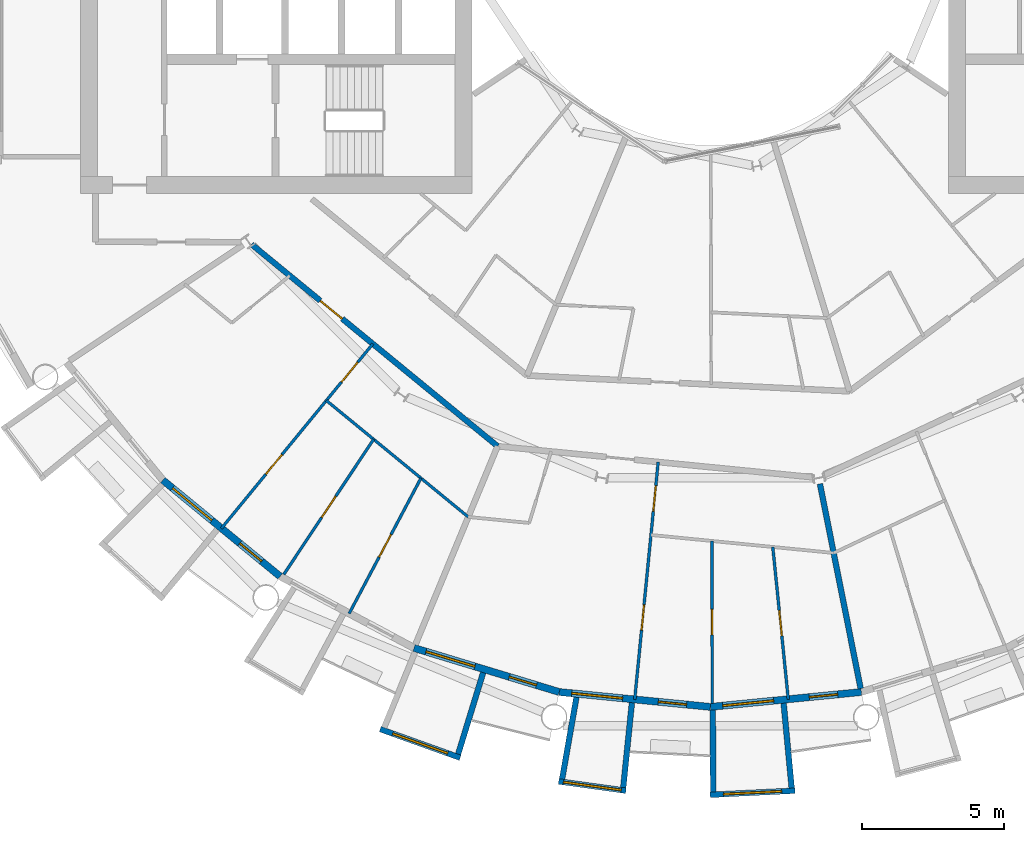
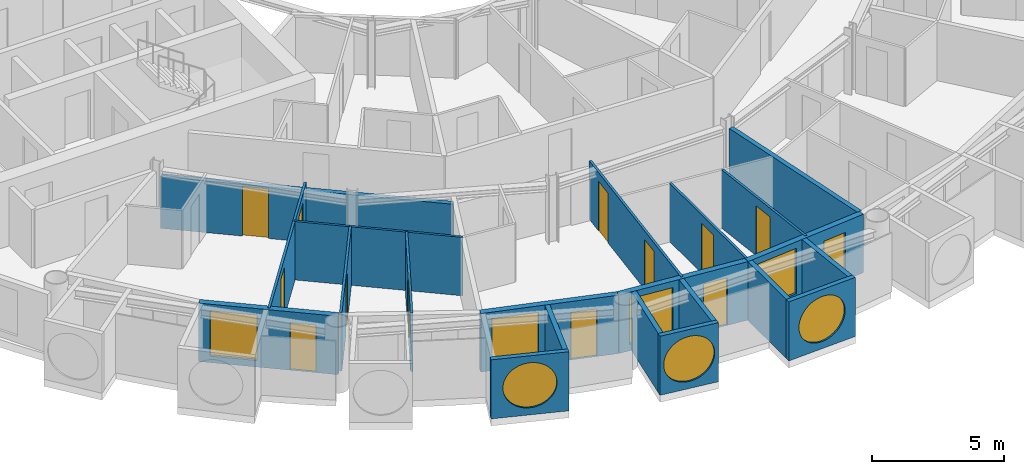
# One storey, part 14 of 27: 21 walls, 13 doors, 7 windows, 20 openings.
"""IFC4 building model written with IfcOpenShell, lengths in metres."""

from ifc_helpers import new_model, si_unit, direction, frame, frame_2d, origin, place, context, subcontext, project, spatial, rectangle, circle, extrude, material, layer, layer_set, type_object, element, fill, save


model = new_model("IFC4")

# Units and contexts
model_context = context("Model", 3, precision=1e-05, world=origin(), true_north=direction((0.0, 1.0)))
body_context = subcontext(model_context, "Body", "Model", "MODEL_VIEW")
ifc_project = project(units=[si_unit("LENGTHUNIT", "METRE"), si_unit("AREAUNIT", "SQUARE_METRE"), si_unit("VOLUMEUNIT", "CUBIC_METRE"), si_unit("PLANEANGLEUNIT", "RADIAN"), si_unit("MASSUNIT", "GRAM", prefix="KILO")], contexts=[model_context])

# Site, building, storey
site_placement = place(None, origin())
site = spatial("IfcSite", under=ifc_project, at=site_placement, CompositionType="ELEMENT")
building_placement = place(site_placement, origin())
building = spatial("IfcBuilding", under=site, at=building_placement, Name="Maasbend Ring Residences", CompositionType="ELEMENT")
storey_placement = place(building_placement, frame((0.0, 0.0, 114.699951171875)))
storey = spatial("IfcBuildingStorey", under=building, at=storey_placement, Name="L32", CompositionType="ELEMENT", Elevation=114.699951171875)

# Wall, opening, door
ifc_material_1 = material(Name="Concrete C30/37", Category="concrete")
ifc_layer_1 = layer(ifc_material_1, 0.199951171875)
ifc_layer_set_1 = layer_set([ifc_layer_1], Name="Concrete C30/37")
wall_type_1 = type_object("IfcWallType", Name="CORRIDOR WALL 200 CONCRETE", PredefinedType="PARTITIONING", material=ifc_layer_set_1)
wall_1_placement = place(storey_placement, frame((-16.173095703125, -10.990966796875, 0.0), z_axis=(0.0, 0.0, 1.0), x_axis=(0.773013989296, -0.634388975591, 0.0)))
wall_1 = element("IfcWall", 1, at=wall_1_placement, inside=storey, type_object=wall_type_1, Name="U-L32-w013", PredefinedType="PARTITIONING", context=body_context, shape_type="SweptSolid", body=[
    extrude(rectangle(XDim=11.218505859375, YDim=0.199951171875, at=frame_2d((5.609375, 0.0))), origin(), (0.0, 0.0, 1.0), 2.39013671875),
])
opening_1_placement = place(wall_1_placement, frame((3.135009765625, 0.0, 0.0)))
opening_1 = element("IfcOpeningElement", 2, at=opening_1_placement, cuts=wall_1, Name="Opening D-3234", PredefinedType="OPENING", context=body_context, shape_type="SweptSolid", body=[
    extrude(rectangle(XDim=1.0, YDim=2.300048828125, at=frame_2d((0.5, 1.14990234375))), frame((0.0, 0.10986328125, 0.0), z_axis=(0.0, -1.0, 0.0), x_axis=(1.0, 0.0, 0.0)), (0.0, 0.0, 1.0), 0.219970703125),
])
ifc_material_2 = material(Name="Timber, fire-rated, painted", Category="wood")
door_type_1 = type_object("IfcDoorType", Name="FLAT ENTRANCE DOOR 1000 X 2300 FIRE-RATED", OperationType="NOTDEFINED", PredefinedType="DOOR", material=ifc_material_2)
door_1_placement = place(opening_1_placement, origin())
door_1 = element("IfcDoor", 3, at=door_1_placement, inside=storey, type_object=door_type_1, Name="D-3234", OperationType="SINGLE_SWING_LEFT", OverallHeight=2.300048828125, OverallWidth=1.0, PredefinedType="DOOR", context=body_context, shape_type="SweptSolid", body=[
    extrude(rectangle(XDim=1.0, YDim=2.300048828125, at=frame_2d((0.5, 1.14990234375))), frame((0.0, 0.02490234375, 0.0), z_axis=(0.0, -1.0, 0.0), x_axis=(1.0, 0.0, 0.0)), (0.0, 0.0, 1.0), 0.050048828125),
])
fill(opening_1, door_1)

# Wall, opening, window
ifc_material_3 = material(Name="Pale anodised aluminium panel", Category="aluminium")
ifc_layer_2 = layer(ifc_material_3, 0.199951171875)
ifc_layer_set_2 = layer_set([ifc_layer_2], Name="EW-BOX")
wall_type_2 = type_object("IfcWallType", Name="EW-BOX", PredefinedType="SOLIDWALL", material=ifc_layer_set_2)
wall_2_placement = place(storey_placement, frame((-11.637939453125, -28.083984375, -0.030029296875), z_axis=(0.0, 0.0, 1.0), x_axis=(0.941461077774, -0.337121697664, 0.0)))
wall_2 = element("IfcWall", 4, at=wall_2_placement, inside=storey, type_object=wall_type_2, Name="Box front S07", PredefinedType="SOLIDWALL", context=body_context, shape_type="SweptSolid", body=[
    extrude(rectangle(XDim=2.9931640625, YDim=0.199951171875, at=frame_2d((1.49658203125, 0.0))), origin(), (0.0, 0.0, 1.0), 2.72998046875),
])
opening_2_placement = place(wall_2_placement, frame((0.45654296875, 0.0, 0.330078125)))
opening_2 = element("IfcOpeningElement", 5, at=opening_2_placement, cuts=wall_2, Name="Opening W-RD", PredefinedType="OPENING", context=body_context, shape_type="SweptSolid", body=[
    extrude(circle(Radius=1.0400390625, at=frame_2d((1.0400390625, 1.0400390625))), frame((0.0, 0.10986328125, 0.0), z_axis=(0.0, -1.0, 0.0), x_axis=(1.0, 0.0, 0.0)), (0.0, 0.0, 1.0), 0.219970703125),
])
ifc_material_4 = material(Name="Aluminium and clear glass", Category="aluminium")
window_type_1 = type_object("IfcWindowType", Name="W-RD", PartitioningType="SINGLE_PANEL", PredefinedType="WINDOW", material=ifc_material_4)
window_1_placement = place(opening_2_placement, origin())
window_1 = element("IfcWindow", 6, at=window_1_placement, inside=storey, type_object=window_type_1, Name="Round window S07", OverallHeight=2.080078125, OverallWidth=2.080078125, PartitioningType="SINGLE_PANEL", PredefinedType="WINDOW", context=body_context, shape_type="SweptSolid", body=[
    extrude(circle(Radius=1.0400390625, at=frame_2d((1.0400390625, 1.0400390625))), frame((0.0, 0.030029296875, 0.0), z_axis=(0.0, -1.0, 0.0), x_axis=(1.0, 0.0, 0.0)), (0.0, 0.0, 1.0), 0.06005859375),
])
fill(opening_2, window_1)

# Wall
wall_3_placement = place(storey_placement, frame((-8.009033203125, -26.092041015625, -0.030029296875), z_axis=(0.0, 0.0, 1.0), x_axis=(-0.293406695073, -0.955987715029, 0.0)))
element("IfcWall", 7, at=wall_3_placement, inside=storey, type_object=wall_type_2, Name="Box side wall S07 right", PredefinedType="SOLIDWALL", context=body_context, shape_type="SweptSolid", body=[
    extrude(rectangle(XDim=3.00634765625, YDim=0.199951171875, at=frame_2d((1.503173828125, 0.0))), origin(), (0.0, 0.0, 1.0), 2.72998046875),
])

# Wall, opening, window
wall_4_placement = place(storey_placement, frame((-5.344970703125, -29.927001953125, -0.030029296875), z_axis=(0.0, 0.0, 1.0), x_axis=(0.99061207328, -0.136703036805, 0.0)))
wall_4 = element("IfcWall", 8, at=wall_4_placement, inside=storey, type_object=wall_type_2, Name="Box front S09", PredefinedType="SOLIDWALL", context=body_context, shape_type="SweptSolid", body=[
    extrude(rectangle(XDim=2.391357421875, YDim=0.199951171875, at=frame_2d((1.19580078125, 0.0))), origin(), (0.0, 0.0, 1.0), 2.72998046875),
])
opening_3_placement = place(wall_4_placement, frame((0.15576171875, 0.0, 0.330078125)))
opening_3 = element("IfcOpeningElement", 9, at=opening_3_placement, cuts=wall_4, Name="Opening W-RD", PredefinedType="OPENING", context=body_context, shape_type="SweptSolid", body=[
    extrude(circle(Radius=1.0400390625, at=frame_2d((1.0400390625, 1.0400390625))), frame((0.0, 0.10986328125, 0.0), z_axis=(0.0, -1.0, 0.0), x_axis=(1.0, 0.0, 0.0)), (0.0, 0.0, 1.0), 0.219970703125),
])
window_2_placement = place(opening_3_placement, origin())
window_2 = element("IfcWindow", 10, at=window_2_placement, inside=storey, type_object=window_type_1, Name="Round window S09", OverallHeight=2.080078125, OverallWidth=2.080078125, PartitioningType="SINGLE_PANEL", PredefinedType="WINDOW", context=body_context, shape_type="SweptSolid", body=[
    extrude(circle(Radius=1.0400390625, at=frame_2d((1.0400390625, 1.0400390625))), frame((0.0, 0.030029296875, 0.0), z_axis=(0.0, -1.0, 0.0), x_axis=(1.0, 0.0, 0.0)), (0.0, 0.0, 1.0), 0.06005859375),
])
fill(opening_3, window_2)

# Walls
wall_5_placement = place(storey_placement, frame((-4.719970703125, -26.9609375, -0.030029296875), z_axis=(0.0, 0.0, 1.0), x_axis=(-0.172463232037, -0.98501595601, 0.0)))
element("IfcWall", 11, at=wall_5_placement, inside=storey, type_object=wall_type_2, Name="Box side wall S09 left", PredefinedType="SOLIDWALL", context=body_context, shape_type="SweptSolid", body=[
    extrude(rectangle(XDim=2.928955078125, YDim=0.199951171875, at=frame_2d((1.46435546875, 0.0))), origin(), (0.0, 0.0, 1.0), 2.72998046875),
])
wall_6_placement = place(storey_placement, frame((-2.763916015625, -27.153076171875, -0.030029296875), z_axis=(0.0, 0.0, 1.0), x_axis=(-0.101505487237, -0.994834979311, 0.0)))
element("IfcWall", 12, at=wall_6_placement, inside=storey, type_object=wall_type_2, Name="Box side wall S09 right", PredefinedType="SOLIDWALL", context=body_context, shape_type="SweptSolid", body=[
    extrude(rectangle(XDim=3.006591796875, YDim=0.199951171875, at=frame_2d((1.50341796875, 0.0))), origin(), (0.0, 0.0, 1.0), 2.72998046875),
])

# Wall, opening, window
wall_7_placement = place(storey_placement, frame((-0.0048828125, -30.39990234375, -0.030029296875), z_axis=(0.0, 0.0, 1.0), x_axis=(0.998794083011, 0.049095618353, 0.0)))
wall_7 = element("IfcWall", 13, at=wall_7_placement, inside=storey, type_object=wall_type_2, Name="Box front S11", PredefinedType="SOLIDWALL", context=body_context, shape_type="SweptSolid", body=[
    extrude(rectangle(XDim=2.99365234375, YDim=0.199951171875, at=frame_2d((1.496826171875, 0.0))), origin(), (0.0, 0.0, 1.0), 2.72998046875),
])
opening_4_placement = place(wall_7_placement, frame((0.45654296875, 0.0, 0.330078125)))
opening_4 = element("IfcOpeningElement", 14, at=opening_4_placement, cuts=wall_7, Name="Opening W-RD", PredefinedType="OPENING", context=body_context, shape_type="SweptSolid", body=[
    extrude(circle(Radius=1.0400390625, at=frame_2d((1.0400390625, 1.0400390625))), frame((0.0, 0.10986328125, 0.0), z_axis=(0.0, -1.0, 0.0), x_axis=(1.0, 0.0, 0.0)), (0.0, 0.0, 1.0), 0.219970703125),
])
window_3_placement = place(opening_4_placement, origin())
window_3 = element("IfcWindow", 15, at=window_3_placement, inside=storey, type_object=window_type_1, Name="Round window S11", OverallHeight=2.080078125, OverallWidth=2.080078125, PartitioningType="SINGLE_PANEL", PredefinedType="WINDOW", context=body_context, shape_type="SweptSolid", body=[
    extrude(circle(Radius=1.0400390625, at=frame_2d((1.0400390625, 1.0400390625))), frame((0.0, 0.030029296875, 0.0), z_axis=(0.0, -1.0, 0.0), x_axis=(1.0, 0.0, 0.0)), (0.0, 0.0, 1.0), 0.06005859375),
])
fill(opening_4, window_3)

# Walls
wall_8_placement = place(storey_placement, frame((0.090087890625, -27.4169921875, -0.030029296875), z_axis=(0.0, 0.0, 1.0), x_axis=(0.00347308367, -0.999993968827, 0.0)))
element("IfcWall", 16, at=wall_8_placement, inside=storey, type_object=wall_type_2, Name="Box side wall S11 left", PredefinedType="SOLIDWALL", context=body_context, shape_type="SweptSolid", body=[
    extrude(rectangle(XDim=2.882080078125, YDim=0.199951171875, at=frame_2d((1.44091796875, 0.0))), origin(), (0.0, 0.0, 1.0), 2.72998046875),
])
wall_9_placement = place(storey_placement, frame((2.5859375, -27.1708984375, -0.030029296875), z_axis=(0.0, 0.0, 1.0), x_axis=(0.094548432284, -0.995520262954, 0.0)))
element("IfcWall", 17, at=wall_9_placement, inside=storey, type_object=wall_type_2, Name="Box side wall S11 right", PredefinedType="SOLIDWALL", context=body_context, shape_type="SweptSolid", body=[
    extrude(rectangle(XDim=3.005615234375, YDim=0.199951171875, at=frame_2d((1.5029296875, 0.0))), origin(), (0.0, 0.0, 1.0), 2.72998046875),
])

# Wall, openings, door, window
ifc_material_5 = material(Name="Aluminium clad insulated panel", Category="aluminium")
ifc_layer_3 = layer(ifc_material_5, 0.25)
ifc_layer_set_3 = layer_set([ifc_layer_3], Name="EW-GL")
wall_type_3 = type_object("IfcWallType", Name="EW-GL", PredefinedType="SOLIDWALL", material=ifc_layer_set_3)
wall_10_placement = place(storey_placement, frame((-19.303955078125, -19.303955078125, 0.0), z_axis=(0.0, 0.0, 1.0), x_axis=(0.773019449054, -0.634382322723, 0.0)))
wall_10 = element("IfcWall", 18, at=wall_10_placement, inside=storey, type_object=wall_type_3, Name="External wall S02", PredefinedType="SOLIDWALL", context=body_context, shape_type="SweptSolid", body=[
    extrude(rectangle(XDim=5.351806640625, YDim=0.25, at=frame_2d((2.67578125, 0.0))), origin(), (0.0, 0.0, 1.0), 2.699951171875),
])
opening_5_placement = place(wall_10_placement, frame((0.441162109375, 0.0, 0.300048828125)))
opening_5 = element("IfcOpeningElement", 19, at=opening_5_placement, cuts=wall_10, Name="Opening W-BX", PredefinedType="OPENING", context=body_context, shape_type="SweptSolid", body=[
    extrude(rectangle(XDim=1.800048828125, YDim=2.10009765625, at=frame_2d((0.89990234375, 1.050048828125))), frame((0.0, 0.135009765625, 0.0), z_axis=(0.0, -1.0, 0.0), x_axis=(1.0, 0.0, 0.0)), (0.0, 0.0, 1.0), 0.27001953125),
])
opening_6_placement = place(wall_10_placement, frame((3.510498046875, 0.0, 0.0)))
opening_6 = element("IfcOpeningElement", 20, at=opening_6_placement, cuts=wall_10, Name="Opening D-LG", PredefinedType="OPENING", context=body_context, shape_type="SweptSolid", body=[
    extrude(rectangle(XDim=1.0, YDim=2.199951171875, at=frame_2d((0.5, 1.10009765625))), frame((0.0, 0.135009765625, 0.0), z_axis=(0.0, -1.0, 0.0), x_axis=(1.0, 0.0, 0.0)), (0.0, 0.0, 1.0), 0.27001953125),
])
ifc_material_6 = material(Name="Aluminium and clear glass", Category="aluminium")
door_type_2 = type_object("IfcDoorType", Name="D-LG", OperationType="SINGLE_SWING_LEFT", PredefinedType="DOOR", material=ifc_material_6)
door_2_placement = place(opening_6_placement, origin())
door_2 = element("IfcDoor", 21, at=door_2_placement, inside=storey, type_object=door_type_2, Name="Loggia door S04", OperationType="SINGLE_SWING_LEFT", OverallHeight=2.199951171875, OverallWidth=1.0, PredefinedType="DOOR", context=body_context, shape_type="SweptSolid", body=[
    extrude(rectangle(XDim=1.0, YDim=2.199951171875, at=frame_2d((0.5, 1.10009765625))), frame((0.0, 0.02490234375, 0.0), z_axis=(0.0, -1.0, 0.0), x_axis=(1.0, 0.0, 0.0)), (0.0, 0.0, 1.0), 0.050048828125),
])
fill(opening_6, door_2)
ifc_material_7 = material(Name="Aluminium and clear glass", Category="aluminium")
window_type_2 = type_object("IfcWindowType", Name="W-BX", PartitioningType="DOUBLE_PANEL_VERTICAL", PredefinedType="WINDOW", material=ifc_material_7)
window_4_placement = place(opening_5_placement, origin())
window_4 = element("IfcWindow", 22, at=window_4_placement, inside=storey, type_object=window_type_2, Name="Window S03 room to box", OverallHeight=2.10009765625, OverallWidth=1.800048828125, PartitioningType="SINGLE_PANEL", PredefinedType="WINDOW", context=body_context, shape_type="SweptSolid", body=[
    extrude(rectangle(XDim=1.800048828125, YDim=2.10009765625, at=frame_2d((0.89990234375, 1.050048828125))), frame((0.0, 0.030029296875, 0.0), z_axis=(0.0, -1.0, 0.0), x_axis=(1.0, 0.0, 0.0)), (0.0, 0.0, 1.0), 0.06005859375),
])
fill(opening_5, window_4)

wall_11_placement = place(storey_placement, frame((-10.447021484375, -25.221923828125, 0.0), z_axis=(0.0, 0.0, 1.0), x_axis=(0.956965678721, -0.290201119486, 0.0)))
wall_11 = element("IfcWall", 23, at=wall_11_placement, inside=storey, type_object=wall_type_3, Name="External wall S04", PredefinedType="SOLIDWALL", context=body_context, shape_type="SweptSolid", body=[
    extrude(rectangle(XDim=5.351318359375, YDim=0.25, at=frame_2d((2.67578125, 0.0))), origin(), (0.0, 0.0, 1.0), 2.699951171875),
])
opening_7_placement = place(wall_11_placement, frame((0.441162109375, 0.0, 0.300048828125)))
opening_7 = element("IfcOpeningElement", 24, at=opening_7_placement, cuts=wall_11, Name="Opening W-BX", PredefinedType="OPENING", context=body_context, shape_type="SweptSolid", body=[
    extrude(rectangle(XDim=1.800048828125, YDim=2.10009765625, at=frame_2d((0.89990234375, 1.050048828125))), frame((0.0, 0.135009765625, 0.0), z_axis=(0.0, -1.0, 0.0), x_axis=(1.0, 0.0, 0.0)), (0.0, 0.0, 1.0), 0.27001953125),
])
opening_8_placement = place(wall_11_placement, frame((3.510498046875, 0.0, 0.0)))
opening_8 = element("IfcOpeningElement", 25, at=opening_8_placement, cuts=wall_11, Name="Opening D-LG", PredefinedType="OPENING", context=body_context, shape_type="SweptSolid", body=[
    extrude(rectangle(XDim=1.0, YDim=2.199951171875, at=frame_2d((0.5, 1.10009765625))), frame((0.0, 0.135009765625, 0.0), z_axis=(0.0, -1.0, 0.0), x_axis=(1.0, 0.0, 0.0)), (0.0, 0.0, 1.0), 0.27001953125),
])
door_3_placement = place(opening_8_placement, origin())
door_3 = element("IfcDoor", 26, at=door_3_placement, inside=storey, type_object=door_type_2, Name="Loggia door S08", OperationType="SINGLE_SWING_LEFT", OverallHeight=2.199951171875, OverallWidth=1.0, PredefinedType="DOOR", context=body_context, shape_type="SweptSolid", body=[
    extrude(rectangle(XDim=1.0, YDim=2.199951171875, at=frame_2d((0.5, 1.10009765625))), frame((0.0, 0.02490234375, 0.0), z_axis=(0.0, -1.0, 0.0), x_axis=(1.0, 0.0, 0.0)), (0.0, 0.0, 1.0), 0.050048828125),
])
fill(opening_8, door_3)
window_5_placement = place(opening_7_placement, origin())
window_5 = element("IfcWindow", 27, at=window_5_placement, inside=storey, type_object=window_type_2, Name="Window S07 room to box", OverallHeight=2.10009765625, OverallWidth=1.800048828125, PartitioningType="SINGLE_PANEL", PredefinedType="WINDOW", context=body_context, shape_type="SweptSolid", body=[
    extrude(rectangle(XDim=1.800048828125, YDim=2.10009765625, at=frame_2d((0.89990234375, 1.050048828125))), frame((0.0, 0.030029296875, 0.0), z_axis=(0.0, -1.0, 0.0), x_axis=(1.0, 0.0, 0.0)), (0.0, 0.0, 1.0), 0.06005859375),
])
fill(opening_7, window_5)

wall_12_placement = place(storey_placement, frame((-5.325927734375, -26.77490234375, 0.0), z_axis=(0.0, 0.0, 1.0), x_axis=(0.995173996315, -0.098126026407, 0.0)))
wall_12 = element("IfcWall", 28, at=wall_12_placement, inside=storey, type_object=wall_type_3, Name="External wall S05", PredefinedType="SOLIDWALL", context=body_context, shape_type="SweptSolid", body=[
    extrude(rectangle(XDim=5.351806640625, YDim=0.25, at=frame_2d((2.67578125, 0.0))), origin(), (0.0, 0.0, 1.0), 2.699951171875),
])
opening_9_placement = place(wall_12_placement, frame((0.441162109375, 0.0, 0.300048828125)))
opening_9 = element("IfcOpeningElement", 29, at=opening_9_placement, cuts=wall_12, Name="Opening W-BX", PredefinedType="OPENING", context=body_context, shape_type="SweptSolid", body=[
    extrude(rectangle(XDim=1.800048828125, YDim=2.10009765625, at=frame_2d((0.89990234375, 1.050048828125))), frame((0.0, 0.135009765625, 0.0), z_axis=(0.0, -1.0, 0.0), x_axis=(1.0, 0.0, 0.0)), (0.0, 0.0, 1.0), 0.27001953125),
])
opening_10_placement = place(wall_12_placement, frame((3.510498046875, 0.0, 0.0)))
opening_10 = element("IfcOpeningElement", 30, at=opening_10_placement, cuts=wall_12, Name="Opening D-LG", PredefinedType="OPENING", context=body_context, shape_type="SweptSolid", body=[
    extrude(rectangle(XDim=1.0, YDim=2.199951171875, at=frame_2d((0.5, 1.10009765625))), frame((0.0, 0.135009765625, 0.0), z_axis=(0.0, -1.0, 0.0), x_axis=(1.0, 0.0, 0.0)), (0.0, 0.0, 1.0), 0.27001953125),
])
door_4_placement = place(opening_10_placement, origin())
door_4 = element("IfcDoor", 31, at=door_4_placement, inside=storey, type_object=door_type_2, Name="Loggia door S10", OperationType="SINGLE_SWING_LEFT", OverallHeight=2.199951171875, OverallWidth=1.0, PredefinedType="DOOR", context=body_context, shape_type="SweptSolid", body=[
    extrude(rectangle(XDim=1.0, YDim=2.199951171875, at=frame_2d((0.5, 1.10009765625))), frame((0.0, 0.02490234375, 0.0), z_axis=(0.0, -1.0, 0.0), x_axis=(1.0, 0.0, 0.0)), (0.0, 0.0, 1.0), 0.050048828125),
])
fill(opening_10, door_4)
window_6_placement = place(opening_9_placement, origin())
window_6 = element("IfcWindow", 32, at=window_6_placement, inside=storey, type_object=window_type_2, Name="Window S09 room to box", OverallHeight=2.10009765625, OverallWidth=1.800048828125, PartitioningType="SINGLE_PANEL", PredefinedType="WINDOW", context=body_context, shape_type="SweptSolid", body=[
    extrude(rectangle(XDim=1.800048828125, YDim=2.10009765625, at=frame_2d((0.89990234375, 1.050048828125))), frame((0.0, 0.030029296875, 0.0), z_axis=(0.0, -1.0, 0.0), x_axis=(1.0, 0.0, 0.0)), (0.0, 0.0, 1.0), 0.06005859375),
])
fill(opening_9, window_6)

wall_13_placement = place(storey_placement, frame((0.0, -27.300048828125, 0.0), z_axis=(0.0, 0.0, 1.0), x_axis=(0.995173996315, 0.098126026407, 0.0)))
wall_13 = element("IfcWall", 33, at=wall_13_placement, inside=storey, type_object=wall_type_3, Name="External wall S06", PredefinedType="SOLIDWALL", context=body_context, shape_type="SweptSolid", body=[
    extrude(rectangle(XDim=5.351806640625, YDim=0.25, at=frame_2d((2.67578125, 0.0))), origin(), (0.0, 0.0, 1.0), 2.699951171875),
])
opening_11_placement = place(wall_13_placement, frame((0.441162109375, 0.0, 0.300048828125)))
opening_11 = element("IfcOpeningElement", 34, at=opening_11_placement, cuts=wall_13, Name="Opening W-BX", PredefinedType="OPENING", context=body_context, shape_type="SweptSolid", body=[
    extrude(rectangle(XDim=1.800048828125, YDim=2.10009765625, at=frame_2d((0.89990234375, 1.050048828125))), frame((0.0, 0.135009765625, 0.0), z_axis=(0.0, -1.0, 0.0), x_axis=(1.0, 0.0, 0.0)), (0.0, 0.0, 1.0), 0.27001953125),
])
opening_12_placement = place(wall_13_placement, frame((3.510498046875, 0.0, 0.0)))
opening_12 = element("IfcOpeningElement", 35, at=opening_12_placement, cuts=wall_13, Name="Opening D-LG", PredefinedType="OPENING", context=body_context, shape_type="SweptSolid", body=[
    extrude(rectangle(XDim=1.0, YDim=2.199951171875, at=frame_2d((0.5, 1.10009765625))), frame((0.0, 0.135009765625, 0.0), z_axis=(0.0, -1.0, 0.0), x_axis=(1.0, 0.0, 0.0)), (0.0, 0.0, 1.0), 0.27001953125),
])
door_5_placement = place(opening_12_placement, origin())
door_5 = element("IfcDoor", 36, at=door_5_placement, inside=storey, type_object=door_type_2, Name="Loggia door S12", OperationType="SINGLE_SWING_LEFT", OverallHeight=2.199951171875, OverallWidth=1.0, PredefinedType="DOOR", context=body_context, shape_type="SweptSolid", body=[
    extrude(rectangle(XDim=1.0, YDim=2.199951171875, at=frame_2d((0.5, 1.10009765625))), frame((0.0, 0.02490234375, 0.0), z_axis=(0.0, -1.0, 0.0), x_axis=(1.0, 0.0, 0.0)), (0.0, 0.0, 1.0), 0.050048828125),
])
fill(opening_12, door_5)
window_7_placement = place(opening_11_placement, origin())
window_7 = element("IfcWindow", 37, at=window_7_placement, inside=storey, type_object=window_type_2, Name="Window S11 room to box", OverallHeight=2.10009765625, OverallWidth=1.800048828125, PartitioningType="SINGLE_PANEL", PredefinedType="WINDOW", context=body_context, shape_type="SweptSolid", body=[
    extrude(rectangle(XDim=1.800048828125, YDim=2.10009765625, at=frame_2d((0.89990234375, 1.050048828125))), frame((0.0, 0.030029296875, 0.0), z_axis=(0.0, -1.0, 0.0), x_axis=(1.0, 0.0, 0.0)), (0.0, 0.0, 1.0), 0.06005859375),
])
fill(opening_11, window_7)

# Wall
ifc_material_8 = material(Name="Gypsum board on steel studs", Category="steel")
ifc_layer_4 = layer(ifc_material_8, 0.10009765625)
ifc_layer_set_4 = layer_set([ifc_layer_4], Name="PARTITION 100 GYPSUM")
wall_type_4 = type_object("IfcWallType", Name="PARTITION 100 GYPSUM", PredefinedType="PARTITIONING", material=ifc_layer_set_4)
wall_14_placement = place(storey_placement, frame((-13.5380859375, -16.49609375, 0.0), z_axis=(0.0, 0.0, 1.0), x_axis=(0.773000340237, -0.634405606843, 0.0)))
element("IfcWall", 38, at=wall_14_placement, inside=storey, type_object=wall_type_4, Name="U-L32-w008", PredefinedType="PARTITIONING", context=body_context, shape_type="SweptSolid", body=[
    extrude(rectangle(XDim=6.4736328125, YDim=0.10009765625, at=frame_2d((3.23681640625, 0.0))), origin(), (0.0, 0.0, 1.0), 2.699951171875),
])

# Wall, openings, doors
wall_15_placement = place(storey_placement, frame((-2.666015625, -27.0439453125, 0.0), z_axis=(0.0, 0.0, 1.0), x_axis=(0.098366640075, 0.995150241984, 0.0)))
wall_15 = element("IfcWall", 39, at=wall_15_placement, inside=storey, type_object=wall_type_4, Name="U-L32-w028", PredefinedType="PARTITIONING", context=body_context, shape_type="SweptSolid", body=[
    extrude(rectangle(XDim=8.418701171875, YDim=0.10009765625, at=frame_2d((4.20947265625, 0.0))), origin(), (0.0, 0.0, 1.0), 2.699951171875),
])
opening_13_placement = place(wall_15_placement, frame((6.677001953125, 0.0, 0.0)))
opening_13 = element("IfcOpeningElement", 40, at=opening_13_placement, cuts=wall_15, Name="Opening D-3242", PredefinedType="OPENING", context=body_context, shape_type="SweptSolid", body=[
    extrude(rectangle(XDim=0.89990234375, YDim=2.300048828125, at=frame_2d((0.449951171875, 1.14990234375))), frame((0.0, 0.06005859375, 0.0), z_axis=(0.0, -1.0, 0.0), x_axis=(1.0, 0.0, 0.0)), (0.0, 0.0, 1.0), 0.1201171875),
])
opening_14_placement = place(wall_15_placement, frame((2.466064453125, 0.0, 0.0)))
opening_14 = element("IfcOpeningElement", 41, at=opening_14_placement, cuts=wall_15, Name="Opening D-3243", PredefinedType="OPENING", context=body_context, shape_type="SweptSolid", body=[
    extrude(rectangle(XDim=0.89990234375, YDim=2.300048828125, at=frame_2d((0.449951171875, 1.14990234375))), frame((0.0, 0.06005859375, 0.0), z_axis=(0.0, -1.0, 0.0), x_axis=(1.0, 0.0, 0.0)), (0.0, 0.0, 1.0), 0.1201171875),
])
ifc_material_9 = material(Name="Timber, painted", Category="wood")
door_type_3 = type_object("IfcDoorType", Name="INTERNAL DOOR 900 X 2300", OperationType="NOTDEFINED", PredefinedType="DOOR", material=ifc_material_9)
door_6_placement = place(opening_13_placement, origin())
door_6 = element("IfcDoor", 42, at=door_6_placement, inside=storey, type_object=door_type_3, Name="D-3242", OperationType="SINGLE_SWING_RIGHT", OverallHeight=2.300048828125, OverallWidth=0.89990234375, PredefinedType="DOOR", context=body_context, shape_type="SweptSolid", body=[
    extrude(rectangle(XDim=0.89990234375, YDim=2.300048828125, at=frame_2d((0.449951171875, 1.14990234375))), frame((0.0, 0.02490234375, 0.0), z_axis=(0.0, -1.0, 0.0), x_axis=(1.0, 0.0, 0.0)), (0.0, 0.0, 1.0), 0.050048828125),
])
fill(opening_13, door_6)
door_7_placement = place(opening_14_placement, origin())
door_7 = element("IfcDoor", 43, at=door_7_placement, inside=storey, type_object=door_type_3, Name="D-3243", OperationType="SINGLE_SWING_LEFT", OverallHeight=2.300048828125, OverallWidth=0.89990234375, PredefinedType="DOOR", context=body_context, shape_type="SweptSolid", body=[
    extrude(rectangle(XDim=0.89990234375, YDim=2.300048828125, at=frame_2d((0.449951171875, 1.14990234375))), frame((0.0, 0.02490234375, 0.0), z_axis=(0.0, -1.0, 0.0), x_axis=(1.0, 0.0, 0.0)), (0.0, 0.0, 1.0), 0.050048828125),
])
fill(opening_14, door_7)

wall_16_placement = place(storey_placement, frame((-17.239990234375, -21.007080078125, 0.0), z_axis=(0.0, 0.0, 1.0), x_axis=(0.634396151441, 0.77300810024, 0.0)))
wall_16 = element("IfcWall", 44, at=wall_16_placement, inside=storey, type_object=wall_type_4, Name="U-L32-w032", PredefinedType="PARTITIONING", context=body_context, shape_type="SweptSolid", body=[
    extrude(rectangle(XDim=8.419189453125, YDim=0.10009765625, at=frame_2d((4.20947265625, 0.0))), origin(), (0.0, 0.0, 1.0), 2.699951171875),
])
opening_15_placement = place(wall_16_placement, frame((6.678955078125, 0.0, 0.0)))
opening_15 = element("IfcOpeningElement", 45, at=opening_15_placement, cuts=wall_16, Name="Opening D-3236", PredefinedType="OPENING", context=body_context, shape_type="SweptSolid", body=[
    extrude(rectangle(XDim=0.89990234375, YDim=2.300048828125, at=frame_2d((0.449951171875, 1.14990234375))), frame((0.0, 0.06005859375, 0.0), z_axis=(0.0, -1.0, 0.0), x_axis=(1.0, 0.0, 0.0)), (0.0, 0.0, 1.0), 0.1201171875),
])
opening_16_placement = place(wall_16_placement, frame((2.468017578125, 0.0, 0.0)))
opening_16 = element("IfcOpeningElement", 46, at=opening_16_placement, cuts=wall_16, Name="Opening D-3237", PredefinedType="OPENING", context=body_context, shape_type="SweptSolid", body=[
    extrude(rectangle(XDim=0.89990234375, YDim=2.300048828125, at=frame_2d((0.449951171875, 1.14990234375))), frame((0.0, 0.06005859375, 0.0), z_axis=(0.0, -1.0, 0.0), x_axis=(1.0, 0.0, 0.0)), (0.0, 0.0, 1.0), 0.1201171875),
])
door_8_placement = place(opening_15_placement, origin())
door_8 = element("IfcDoor", 47, at=door_8_placement, inside=storey, type_object=door_type_3, Name="D-3236", OperationType="SINGLE_SWING_RIGHT", OverallHeight=2.300048828125, OverallWidth=0.89990234375, PredefinedType="DOOR", context=body_context, shape_type="SweptSolid", body=[
    extrude(rectangle(XDim=0.89990234375, YDim=2.300048828125, at=frame_2d((0.449951171875, 1.14990234375))), frame((0.0, 0.02490234375, 0.0), z_axis=(0.0, -1.0, 0.0), x_axis=(1.0, 0.0, 0.0)), (0.0, 0.0, 1.0), 0.050048828125),
])
fill(opening_15, door_8)
door_9_placement = place(opening_16_placement, origin())
door_9 = element("IfcDoor", 48, at=door_9_placement, inside=storey, type_object=door_type_3, Name="D-3237", OperationType="SINGLE_SWING_LEFT", OverallHeight=2.300048828125, OverallWidth=0.89990234375, PredefinedType="DOOR", context=body_context, shape_type="SweptSolid", body=[
    extrude(rectangle(XDim=0.89990234375, YDim=2.300048828125, at=frame_2d((0.449951171875, 1.14990234375))), frame((0.0, 0.02490234375, 0.0), z_axis=(0.0, -1.0, 0.0), x_axis=(1.0, 0.0, 0.0)), (0.0, 0.0, 1.0), 0.050048828125),
])
fill(opening_16, door_9)

# Wall, opening, door
wall_17_placement = place(storey_placement, frame((-15.041015625, -22.632080078125, 0.0), z_axis=(0.0, 0.0, 1.0), x_axis=(0.553637025191, 0.83275809473, 0.0)))
wall_17 = element("IfcWall", 49, at=wall_17_placement, inside=storey, type_object=wall_type_4, Name="U-L32-w037", PredefinedType="PARTITIONING", context=body_context, shape_type="SweptSolid", body=[
    extrude(rectangle(XDim=5.7255859375, YDim=0.10009765625, at=frame_2d((2.86279296875, 0.0))), origin(), (0.0, 0.0, 1.0), 2.699951171875),
])
opening_17_placement = place(wall_17_placement, frame((2.412109375, 0.0, 0.0)))
opening_17 = element("IfcOpeningElement", 50, at=opening_17_placement, cuts=wall_17, Name="Opening D-3238", PredefinedType="OPENING", context=body_context, shape_type="SweptSolid", body=[
    extrude(rectangle(XDim=0.89990234375, YDim=2.300048828125, at=frame_2d((0.449951171875, 1.14990234375))), frame((0.0, 0.06005859375, 0.0), z_axis=(0.0, -1.0, 0.0), x_axis=(1.0, 0.0, 0.0)), (0.0, 0.0, 1.0), 0.1201171875),
])
door_10_placement = place(opening_17_placement, origin())
door_10 = element("IfcDoor", 51, at=door_10_placement, inside=storey, type_object=door_type_3, Name="D-3238", OperationType="SINGLE_SWING_LEFT", OverallHeight=2.300048828125, OverallWidth=0.89990234375, PredefinedType="DOOR", context=body_context, shape_type="SweptSolid", body=[
    extrude(rectangle(XDim=0.89990234375, YDim=2.300048828125, at=frame_2d((0.449951171875, 1.14990234375))), frame((0.0, 0.02490234375, 0.0), z_axis=(0.0, -1.0, 0.0), x_axis=(1.0, 0.0, 0.0)), (0.0, 0.0, 1.0), 0.050048828125),
])
fill(opening_17, door_10)

wall_18_placement = place(storey_placement, frame((-12.73388671875, -24.007080078125, 0.0), z_axis=(0.0, 0.0, 1.0), x_axis=(0.468610030042, 0.883405139075, 0.0)))
wall_18 = element("IfcWall", 52, at=wall_18_placement, inside=storey, type_object=wall_type_4, Name="U-L32-w039", PredefinedType="PARTITIONING", context=body_context, shape_type="SweptSolid", body=[
    extrude(rectangle(XDim=5.403076171875, YDim=0.10009765625, at=frame_2d((2.70166015625, 0.0))), origin(), (0.0, 0.0, 1.0), 2.699951171875),
])
opening_18_placement = place(wall_18_placement, frame((2.251953125, 0.0, 0.0)))
opening_18 = element("IfcOpeningElement", 53, at=opening_18_placement, cuts=wall_18, Name="Opening D-3239", PredefinedType="OPENING", context=body_context, shape_type="SweptSolid", body=[
    extrude(rectangle(XDim=0.89990234375, YDim=2.300048828125, at=frame_2d((0.449951171875, 1.14990234375))), frame((0.0, 0.06005859375, 0.0), z_axis=(0.0, -1.0, 0.0), x_axis=(1.0, 0.0, 0.0)), (0.0, 0.0, 1.0), 0.1201171875),
])
door_11_placement = place(opening_18_placement, origin())
door_11 = element("IfcDoor", 54, at=door_11_placement, inside=storey, type_object=door_type_3, Name="D-3239", OperationType="SINGLE_SWING_LEFT", OverallHeight=2.300048828125, OverallWidth=0.89990234375, PredefinedType="DOOR", context=body_context, shape_type="SweptSolid", body=[
    extrude(rectangle(XDim=0.89990234375, YDim=2.300048828125, at=frame_2d((0.449951171875, 1.14990234375))), frame((0.0, 0.02490234375, 0.0), z_axis=(0.0, -1.0, 0.0), x_axis=(1.0, 0.0, 0.0)), (0.0, 0.0, 1.0), 0.050048828125),
])
fill(opening_18, door_11)

wall_19_placement = place(storey_placement, frame((0.071044921875, -27.175048828125, 0.0), z_axis=(0.0, 0.0, 1.0), x_axis=(-0.002643463093, 0.999996506045, 0.0)))
wall_19 = element("IfcWall", 55, at=wall_19_placement, inside=storey, type_object=wall_type_4, Name="U-L32-w059", PredefinedType="PARTITIONING", context=body_context, shape_type="SweptSolid", body=[
    extrude(rectangle(XDim=5.72607421875, YDim=0.10009765625, at=frame_2d((2.863037109375, 0.0))), origin(), (0.0, 0.0, 1.0), 2.699951171875),
])
opening_19_placement = place(wall_19_placement, frame((2.4130859375, 0.0, 0.0)))
opening_19 = element("IfcOpeningElement", 56, at=opening_19_placement, cuts=wall_19, Name="Opening D-3244", PredefinedType="OPENING", context=body_context, shape_type="SweptSolid", body=[
    extrude(rectangle(XDim=0.89990234375, YDim=2.300048828125, at=frame_2d((0.449951171875, 1.14990234375))), frame((0.0, 0.06005859375, 0.0), z_axis=(0.0, -1.0, 0.0), x_axis=(1.0, 0.0, 0.0)), (0.0, 0.0, 1.0), 0.1201171875),
])
door_12_placement = place(opening_19_placement, origin())
door_12 = element("IfcDoor", 57, at=door_12_placement, inside=storey, type_object=door_type_3, Name="D-3244", OperationType="SINGLE_SWING_RIGHT", OverallHeight=2.300048828125, OverallWidth=0.89990234375, PredefinedType="DOOR", context=body_context, shape_type="SweptSolid", body=[
    extrude(rectangle(XDim=0.89990234375, YDim=2.300048828125, at=frame_2d((0.449951171875, 1.14990234375))), frame((0.0, 0.02490234375, 0.0), z_axis=(0.0, -1.0, 0.0), x_axis=(1.0, 0.0, 0.0)), (0.0, 0.0, 1.0), 0.050048828125),
])
fill(opening_19, door_12)

wall_20_placement = place(storey_placement, frame((2.202880859375, -21.659912109375, 0.0), z_axis=(0.0, 0.0, 1.0), x_axis=(0.101248136141, -0.994861203851, 0.0)))
wall_20 = element("IfcWall", 58, at=wall_20_placement, inside=storey, type_object=wall_type_4, Name="U-L32-w062", PredefinedType="PARTITIONING", context=body_context, shape_type="SweptSolid", body=[
    extrude(rectangle(XDim=5.40380859375, YDim=0.10009765625, at=frame_2d((2.701904296875, 0.0))), origin(), (0.0, 0.0, 1.0), 2.699951171875),
])
opening_20_placement = place(wall_20_placement, frame((2.251953125, 0.0, 0.0)))
opening_20 = element("IfcOpeningElement", 59, at=opening_20_placement, cuts=wall_20, Name="Opening D-3245", PredefinedType="OPENING", context=body_context, shape_type="SweptSolid", body=[
    extrude(rectangle(XDim=0.89990234375, YDim=2.300048828125, at=frame_2d((0.449951171875, 1.14990234375))), frame((0.0, 0.06005859375, 0.0), z_axis=(0.0, -1.0, 0.0), x_axis=(1.0, 0.0, 0.0)), (0.0, 0.0, 1.0), 0.1201171875),
])
door_13_placement = place(opening_20_placement, origin())
door_13 = element("IfcDoor", 60, at=door_13_placement, inside=storey, type_object=door_type_3, Name="D-3245", OperationType="SINGLE_SWING_LEFT", OverallHeight=2.300048828125, OverallWidth=0.89990234375, PredefinedType="DOOR", context=body_context, shape_type="SweptSolid", body=[
    extrude(rectangle(XDim=0.89990234375, YDim=2.300048828125, at=frame_2d((0.449951171875, 1.14990234375))), frame((0.0, 0.02490234375, 0.0), z_axis=(0.0, -1.0, 0.0), x_axis=(1.0, 0.0, 0.0)), (0.0, 0.0, 1.0), 0.050048828125),
])
fill(opening_20, door_13)

# Wall
ifc_material_10 = material(Name="Concrete C30/37", Category="concrete")
ifc_layer_5 = layer(ifc_material_10, 0.199951171875)
ifc_layer_set_5 = layer_set([ifc_layer_5], Name="Concrete C30/37")
wall_type_5 = type_object("IfcWallType", Name="PARTY WALL 200 CONCRETE", PredefinedType="PARTITIONING", material=ifc_layer_set_5)
wall_21_placement = place(storey_placement, frame((3.865966796875, -19.43505859375, 0.0), z_axis=(0.0, 0.0, 1.0), x_axis=(0.194999559373, -0.98080332985, 0.0)))
element("IfcWall", 61, at=wall_21_placement, inside=storey, type_object=wall_type_5, Name="U-L32-w067", PredefinedType="PARTITIONING", context=body_context, shape_type="SweptSolid", body=[
    extrude(rectangle(XDim=7.359375, YDim=0.199951171875, at=frame_2d((3.6796875, 0.0))), origin(), (0.0, 0.0, 1.0), 2.699951171875),
])

save(model, "model.ifc")
